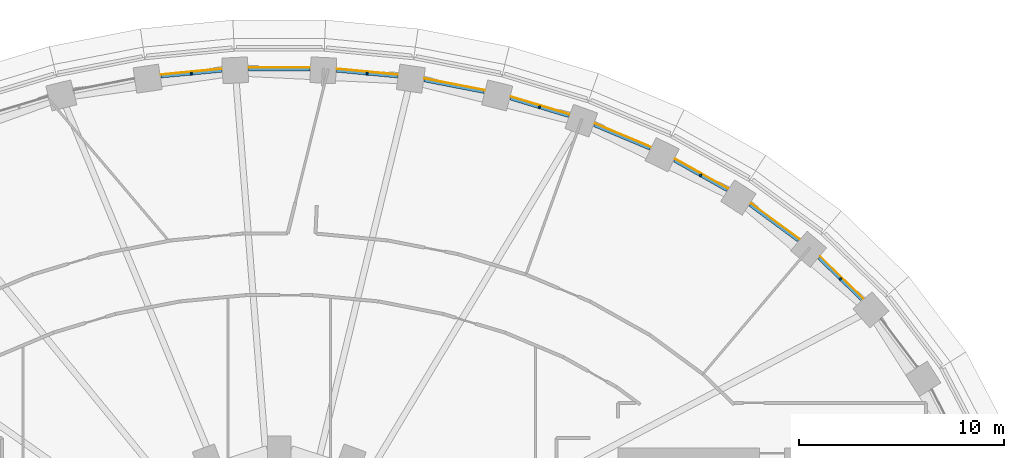
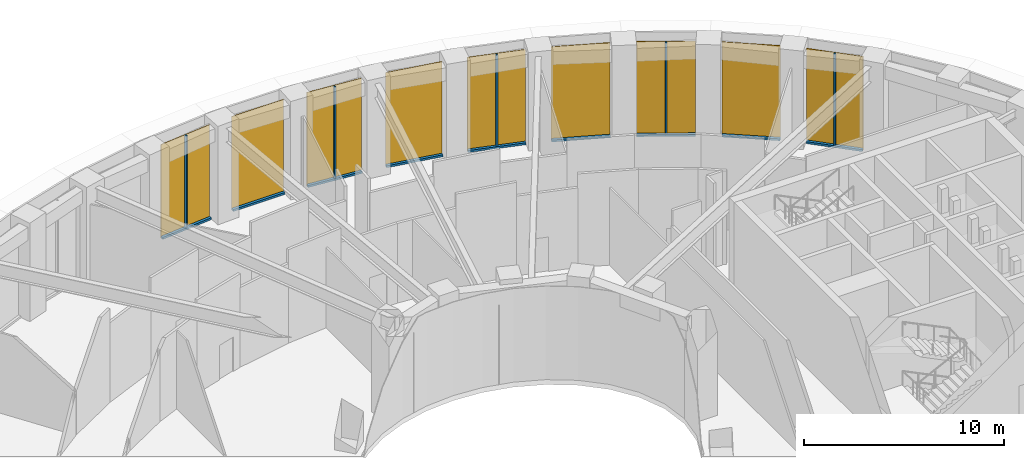
# One storey, part 15 of 23: 14 members, 9 curtain walls.
"""IFC4 building model written with IfcOpenShell, lengths in metres."""

from ifc_helpers import new_model, si_unit, direction, frame, origin, origin_2d, place, context, subcontext, project, spatial, polyline, rectangle, outline, extrude, material, layer, layer_set, material_profile, profile_set, type_object, element, aggregate, save


model = new_model("IFC4")

# Units and contexts
model_context = context("Model", 3, precision=1e-05, world=origin(), true_north=direction((0.0, 1.0)))
body_context = subcontext(model_context, "Body", "Model", "MODEL_VIEW")
ifc_project = project(units=[si_unit("LENGTHUNIT", "METRE"), si_unit("AREAUNIT", "SQUARE_METRE"), si_unit("VOLUMEUNIT", "CUBIC_METRE"), si_unit("PLANEANGLEUNIT", "RADIAN"), si_unit("MASSUNIT", "GRAM", prefix="KILO")], contexts=[model_context])

# Member
ifc_material_1 = material(Name="Aluminium 6063-T6 black anodised", Category="aluminium")
ifc_material_profile = material_profile(ifc_material_1, rectangle(XDim=0.14990234375, YDim=0.080078125, at=origin_2d()), Name="150x80")
ifc_profile_set = profile_set([ifc_material_profile], Name="Aluminium 6063-T6 black anodised")
member_type_1 = type_object("IfcMemberType", Name="ENV-MULLION-B-150", PredefinedType="MULLION", material=ifc_profile_set)
site_placement = place(None, origin())
building_placement = place(site_placement, origin())
storey_placement = place(building_placement, frame((0.0, 0.0, 140.0)))
member_1_placement = place(storey_placement, frame((27.3310546875, 16.73583984375, 0.1201171875), z_axis=(0.0, 0.0, 1.0), x_axis=(-0.696842125038, -0.717224548362, 0.0)))
member_1 = element("IfcMember", 1, at=member_1_placement, type_object=member_type_1, Name="Mullion B chord 05", PredefinedType="MULLION", context=body_context, shape_type="SweptSolid", body=[
    extrude(rectangle(XDim=0.14990234375, YDim=0.080078125, at=origin_2d()), origin(), (0.0, 0.0, 1.0), 5.579833984375),
])

member_2_placement = place(storey_placement, frame((20.525634765625, 21.780029296875, 0.1201171875), z_axis=(0.0, 0.0, 1.0), x_axis=(-0.48942643941, -0.872044586249, 0.0)))
member_2 = element("IfcMember", 2, at=member_2_placement, type_object=member_type_1, Name="Mullion B chord 07", PredefinedType="MULLION", context=body_context, shape_type="SweptSolid", body=[
    extrude(rectangle(XDim=0.14990234375, YDim=0.080078125, at=origin_2d()), origin(), (0.0, 0.0, 1.0), 5.579833984375),
])

member_3_placement = place(storey_placement, frame((12.673828125, 25.098388671875, 0.1201171875), z_axis=(0.0, 0.0, 1.0), x_axis=(-0.28817445525, -0.957577925467, 0.0)))
member_3 = element("IfcMember", 3, at=member_3_placement, type_object=member_type_1, Name="Mullion B chord 09", PredefinedType="MULLION", context=body_context, shape_type="SweptSolid", body=[
    extrude(rectangle(XDim=0.14990234375, YDim=0.080078125, at=origin_2d()), origin(), (0.0, 0.0, 1.0), 5.579833984375),
])

member_4_placement = place(storey_placement, frame((4.2802734375, 26.7373046875, 0.1201171875), z_axis=(0.0, 0.0, 1.0), x_axis=(-0.095008122171, -0.995476497323, 0.0)))
member_4 = element("IfcMember", 4, at=member_4_placement, type_object=member_type_1, Name="Mullion B chord 11", PredefinedType="MULLION", context=body_context, shape_type="SweptSolid", body=[
    extrude(rectangle(XDim=0.14990234375, YDim=0.080078125, at=origin_2d()), origin(), (0.0, 0.0, 1.0), 5.579833984375),
])

member_5_placement = place(storey_placement, frame((-4.2802734375, 26.7373046875, 0.1201171875), z_axis=(0.0, 0.0, 1.0), x_axis=(0.095008122171, -0.995476497323, 0.0)))
member_5 = element("IfcMember", 5, at=member_5_placement, type_object=member_type_1, Name="Mullion B chord 13", PredefinedType="MULLION", context=body_context, shape_type="SweptSolid", body=[
    extrude(rectangle(XDim=0.14990234375, YDim=0.080078125, at=origin_2d()), origin(), (0.0, 0.0, 1.0), 5.579833984375),
])

ifc_material_2 = material(Name="Aluminium 6063-T6 black anodised", Category="aluminium")
member_type_2 = type_object("IfcMemberType", Name="ENV-TRANSOM-B", PredefinedType="USERDEFINED", material=ifc_material_2)
member_6_placement = place(storey_placement, origin())
member_6 = element("IfcMember", 6, at=member_6_placement, type_object=member_type_2, Name="Transom B radial 05-06", ObjectType="TRANSOM", PredefinedType="USERDEFINED", context=body_context, shape_type="SweptSolid", body=[
    extrude(outline(polyline([(28.4267578125, 15.77587890625), (26.3369140625, 17.806396484375), (26.23974609375, 17.69189453125), (28.31396484375, 15.676513671875), (28.4267578125, 15.77587890625)])), origin(), (0.0, 0.0, 1.0), 0.1201171875),
])

member_7_placement = place(storey_placement, origin())
member_7 = element("IfcMember", 7, at=member_7_placement, type_object=member_type_2, Name="Transom B radial 06-07", ObjectType="TRANSOM", PredefinedType="USERDEFINED", context=body_context, shape_type="SweptSolid", body=[
    extrude(outline(polyline([(25.322998046875, 18.66552734375), (22.95947265625, 20.406494140625), (22.8779296875, 20.2802734375), (25.225830078125, 18.55078125), (25.322998046875, 18.66552734375)])), origin(), (0.0, 0.0, 1.0), 0.1201171875),
])

member_8_placement = place(storey_placement, origin())
member_8 = element("IfcMember", 8, at=member_8_placement, type_object=member_type_2, Name="Transom B radial 07-08", ObjectType="TRANSOM", PredefinedType="USERDEFINED", context=body_context, shape_type="SweptSolid", body=[
    extrude(outline(polyline([(21.8486328125, 21.123291015625), (19.273193359375, 22.56884765625), (19.207275390625, 22.433837890625), (21.76708984375, 20.997314453125), (21.8486328125, 21.123291015625)])), origin(), (0.0, 0.0, 1.0), 0.1201171875),
])

member_9_placement = place(storey_placement, origin())
member_9 = element("IfcMember", 9, at=member_9_placement, type_object=member_type_2, Name="Transom B radial 08-09", ObjectType="TRANSOM", PredefinedType="USERDEFINED", context=body_context, shape_type="SweptSolid", body=[
    extrude(outline(polyline([(18.09033203125, 23.147216796875), (15.355224609375, 24.29736328125), (15.304443359375, 24.156005859375), (18.0244140625, 23.01220703125), (18.09033203125, 23.147216796875)])), origin(), (0.0, 0.0, 1.0), 0.1201171875),
])

member_10_placement = place(storey_placement, origin())
member_10 = element("IfcMember", 10, at=member_10_placement, type_object=member_type_2, Name="Transom B radial 09-10", ObjectType="TRANSOM", PredefinedType="USERDEFINED", context=body_context, shape_type="SweptSolid", body=[
    extrude(outline(polyline([(14.1201171875, 24.741455078125), (11.269287109375, 25.599365234375), (11.233154296875, 25.45361328125), (14.0693359375, 24.60009765625), (14.1201171875, 24.741455078125)])), origin(), (0.0, 0.0, 1.0), 0.1201171875),
])

member_11_placement = place(storey_placement, origin())
member_11 = element("IfcMember", 11, at=member_11_placement, type_object=member_type_2, Name="Transom B radial 10-11", ObjectType="TRANSOM", PredefinedType="USERDEFINED", context=body_context, shape_type="SweptSolid", body=[
    extrude(outline(polyline([(9.998046875, 25.913330078125), (7.068603515625, 26.48291015625), (7.047119140625, 26.334228515625), (9.9619140625, 25.767578125), (9.998046875, 25.913330078125)])), origin(), (0.0, 0.0, 1.0), 0.1201171875),
])

member_12_placement = place(storey_placement, origin())
member_12 = element("IfcMember", 12, at=member_12_placement, type_object=member_type_2, Name="Transom B radial 11-12", ObjectType="TRANSOM", PredefinedType="USERDEFINED", context=body_context, shape_type="SweptSolid", body=[
    extrude(outline(polyline([(5.774658203125, 26.669921875), (2.7998046875, 26.953857421875), (2.792724609375, 26.803955078125), (5.753173828125, 26.521240234375), (5.774658203125, 26.669921875)])), origin(), (0.0, 0.0, 1.0), 0.1201171875),
])

member_13_placement = place(storey_placement, origin())
member_13 = element("IfcMember", 13, at=member_13_placement, type_object=member_type_2, Name="Transom B radial 12-13", ObjectType="TRANSOM", PredefinedType="USERDEFINED", context=body_context, shape_type="SweptSolid", body=[
    extrude(outline(polyline([(1.494873046875, 27.01611328125), (-1.494873046875, 27.01611328125), (-1.487548828125, 26.865966796875), (1.487548828125, 26.865966796875), (1.494873046875, 27.01611328125)])), origin(), (0.0, 0.0, 1.0), 0.1201171875),
])

member_14_placement = place(storey_placement, origin())
member_14 = element("IfcMember", 14, at=member_14_placement, type_object=member_type_2, Name="Transom B radial 13-14", ObjectType="TRANSOM", PredefinedType="USERDEFINED", context=body_context, shape_type="SweptSolid", body=[
    extrude(outline(polyline([(-2.7998046875, 26.953857421875), (-5.774658203125, 26.669921875), (-5.753173828125, 26.521240234375), (-2.792724609375, 26.803955078125), (-2.7998046875, 26.953857421875)])), origin(), (0.0, 0.0, 1.0), 0.1201171875),
])

# Site, building, storey
site = spatial("IfcSite", under=ifc_project, at=site_placement, CompositionType="ELEMENT")
building = spatial("IfcBuilding", under=site, at=building_placement, Name="Noorbagh Ring Tower", CompositionType="ELEMENT")
storey = spatial("IfcBuildingStorey", under=building, at=storey_placement, Name="L32", CompositionType="ELEMENT", Elevation=140.0)

# Curtain wall
ifc_material_3 = material(Name="Glass dark tinted laminated", Category="glass")
ifc_layer = layer(ifc_material_3, 0.031982421875)
ifc_layer_set = layer_set([ifc_layer], Name="Glass dark tinted laminated")
curtain_wall_type = type_object("IfcCurtainWallType", Name="ENV-CW-B", PredefinedType="NOTDEFINED", material=ifc_layer_set)
curtain_wall_1_placement = place(storey_placement, origin())
curtain_wall_1 = element("IfcCurtainWall", 15, at=curtain_wall_1_placement, inside=storey, type_object=curtain_wall_type, Name="Curtain wall B R05", PredefinedType="NOTDEFINED", context=body_context, shape_type="SweptSolid", body=[
    extrude(outline(polyline([(28.45068359375, 15.79736328125), (26.357666015625, 17.830810546875), (26.3369140625, 17.806396484375), (28.4267578125, 15.77587890625), (28.45068359375, 15.79736328125)])), origin(), (0.0, 0.0, 1.0), 5.699951171875),
])

aggregate(curtain_wall_1, [member_1, member_6])

curtain_wall_2_placement = place(storey_placement, origin())
curtain_wall_2 = element("IfcCurtainWall", 16, at=curtain_wall_2_placement, inside=storey, type_object=curtain_wall_type, Name="Curtain wall B R06", PredefinedType="NOTDEFINED", context=body_context, shape_type="SweptSolid", body=[
    extrude(outline(polyline([(25.34375, 18.68994140625), (22.976806640625, 20.433349609375), (22.95947265625, 20.406494140625), (25.322998046875, 18.66552734375), (25.34375, 18.68994140625)])), origin(), (0.0, 0.0, 1.0), 5.699951171875),
])

aggregate(curtain_wall_2, [member_7])

curtain_wall_3_placement = place(storey_placement, origin())
curtain_wall_3 = element("IfcCurtainWall", 17, at=curtain_wall_3_placement, inside=storey, type_object=curtain_wall_type, Name="Curtain wall B R07", PredefinedType="NOTDEFINED", context=body_context, shape_type="SweptSolid", body=[
    extrude(outline(polyline([(21.865966796875, 21.150390625), (19.287353515625, 22.59765625), (19.273193359375, 22.56884765625), (21.8486328125, 21.123291015625), (21.865966796875, 21.150390625)])), origin(), (0.0, 0.0, 1.0), 5.699951171875),
])

aggregate(curtain_wall_3, [member_2, member_8])

curtain_wall_4_placement = place(storey_placement, origin())
curtain_wall_4 = element("IfcCurtainWall", 18, at=curtain_wall_4_placement, inside=storey, type_object=curtain_wall_type, Name="Curtain wall B R08", PredefinedType="NOTDEFINED", context=body_context, shape_type="SweptSolid", body=[
    extrude(outline(polyline([(18.1044921875, 23.176025390625), (15.3662109375, 24.327392578125), (15.355224609375, 24.29736328125), (18.09033203125, 23.147216796875), (18.1044921875, 23.176025390625)])), origin(), (0.0, 0.0, 1.0), 5.699951171875),
])

aggregate(curtain_wall_4, [member_9])

curtain_wall_5_placement = place(storey_placement, origin())
curtain_wall_5 = element("IfcCurtainWall", 19, at=curtain_wall_5_placement, inside=storey, type_object=curtain_wall_type, Name="Curtain wall B R09", PredefinedType="NOTDEFINED", context=body_context, shape_type="SweptSolid", body=[
    extrude(outline(polyline([(14.131103515625, 24.771484375), (11.27685546875, 25.630615234375), (11.269287109375, 25.599365234375), (14.1201171875, 24.741455078125), (14.131103515625, 24.771484375)])), origin(), (0.0, 0.0, 1.0), 5.699951171875),
])

aggregate(curtain_wall_5, [member_3, member_10])

curtain_wall_6_placement = place(storey_placement, origin())
curtain_wall_6 = element("IfcCurtainWall", 20, at=curtain_wall_6_placement, inside=storey, type_object=curtain_wall_type, Name="Curtain wall B R10", PredefinedType="NOTDEFINED", context=body_context, shape_type="SweptSolid", body=[
    extrude(outline(polyline([(10.005615234375, 25.944580078125), (7.0732421875, 26.5146484375), (7.068603515625, 26.48291015625), (9.998046875, 25.913330078125), (10.005615234375, 25.944580078125)])), origin(), (0.0, 0.0, 1.0), 5.699951171875),
])

aggregate(curtain_wall_6, [member_11])

curtain_wall_7_placement = place(storey_placement, origin())
curtain_wall_7 = element("IfcCurtainWall", 21, at=curtain_wall_7_placement, inside=storey, type_object=curtain_wall_type, Name="Curtain wall B R11", PredefinedType="NOTDEFINED", context=body_context, shape_type="SweptSolid", body=[
    extrude(outline(polyline([(5.779296875, 26.70166015625), (2.801513671875, 26.98583984375), (2.7998046875, 26.953857421875), (5.774658203125, 26.669921875), (5.779296875, 26.70166015625)])), origin(), (0.0, 0.0, 1.0), 5.699951171875),
])

aggregate(curtain_wall_7, [member_4, member_12])

curtain_wall_8_placement = place(storey_placement, origin())
curtain_wall_8 = element("IfcCurtainWall", 22, at=curtain_wall_8_placement, inside=storey, type_object=curtain_wall_type, Name="Curtain wall B R12", PredefinedType="NOTDEFINED", context=body_context, shape_type="SweptSolid", body=[
    extrude(outline(polyline([(1.496337890625, 27.048095703125), (-1.496337890625, 27.048095703125), (-1.494873046875, 27.01611328125), (1.494873046875, 27.01611328125), (1.496337890625, 27.048095703125)])), origin(), (0.0, 0.0, 1.0), 5.699951171875),
])

aggregate(curtain_wall_8, [member_13])

curtain_wall_9_placement = place(storey_placement, origin())
curtain_wall_9 = element("IfcCurtainWall", 23, at=curtain_wall_9_placement, inside=storey, type_object=curtain_wall_type, Name="Curtain wall B R13", PredefinedType="NOTDEFINED", context=body_context, shape_type="SweptSolid", body=[
    extrude(outline(polyline([(-2.801513671875, 26.98583984375), (-5.779296875, 26.70166015625), (-5.774658203125, 26.669921875), (-2.7998046875, 26.953857421875), (-2.801513671875, 26.98583984375)])), origin(), (0.0, 0.0, 1.0), 5.699951171875),
])

aggregate(curtain_wall_9, [member_5, member_14])

save(model, "model.ifc")
